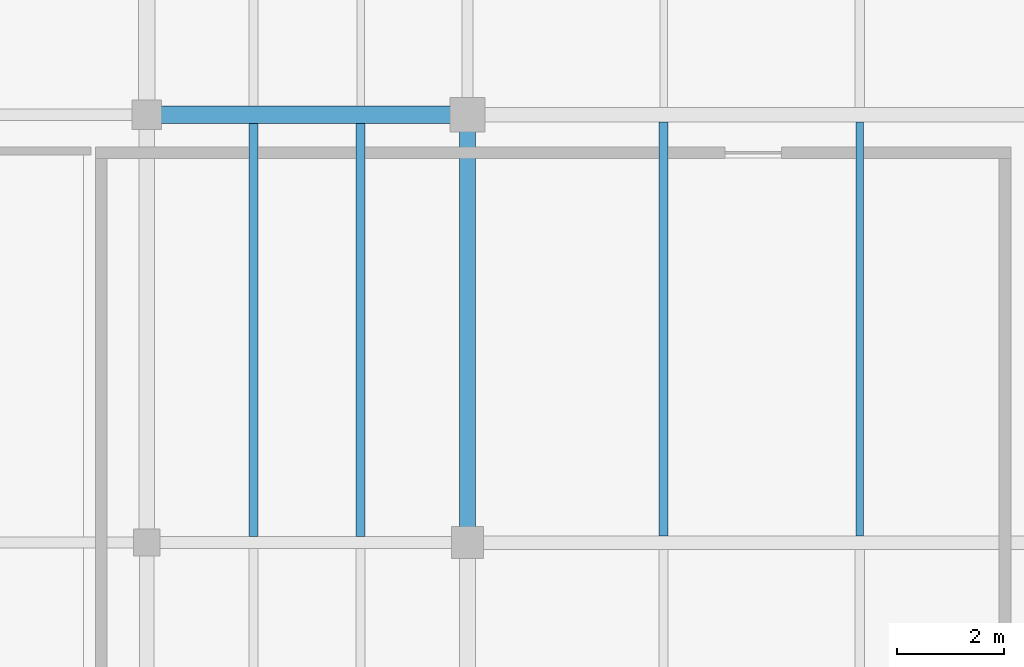
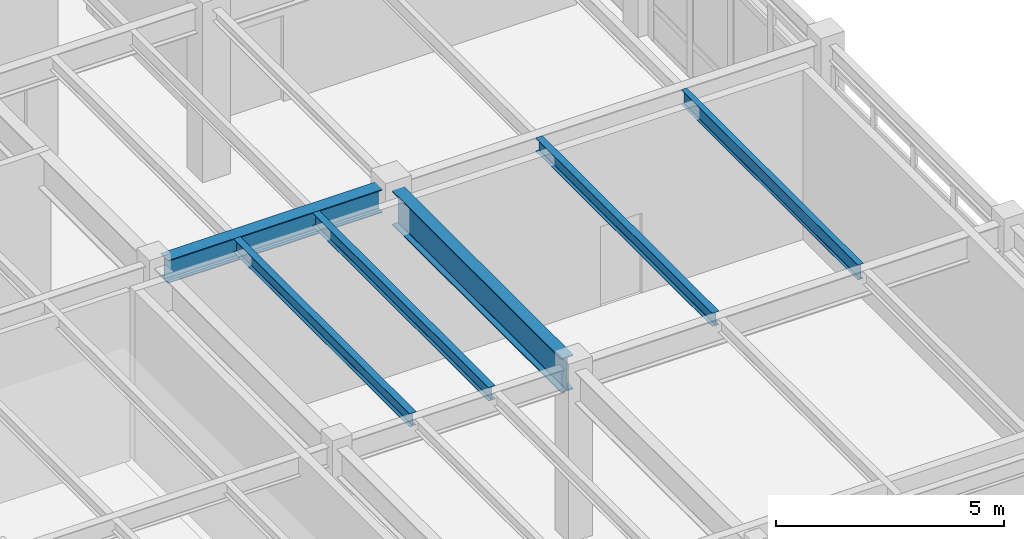
# One storey, part 147 of 200: 6 beams.
"""IFC4 building model written with IfcOpenShell, lengths in metres."""

from ifc_helpers import new_model, si_unit, direction, frame, origin, origin_2d, place, context, subcontext, project, spatial, i_section, extrude, material, material_profile, profile_set, type_object, element, save


model = new_model("IFC4")

# Units and contexts
model_context = context("Model", 3, precision=1e-05, world=origin(), true_north=direction((0.0, 1.0)))
body_context = subcontext(model_context, "Body", "Model", "MODEL_VIEW")
ifc_project = project(units=[si_unit("LENGTHUNIT", "METRE"), si_unit("AREAUNIT", "SQUARE_METRE"), si_unit("VOLUMEUNIT", "CUBIC_METRE"), si_unit("PLANEANGLEUNIT", "RADIAN"), si_unit("MASSUNIT", "GRAM", prefix="KILO"), si_unit("THERMODYNAMICTEMPERATUREUNIT", "KELVIN"), si_unit("POWERUNIT", "WATT")], contexts=[model_context])

# Site, building, storey
site_placement = place(None, origin())
site = spatial("IfcSite", under=ifc_project, at=site_placement, CompositionType="ELEMENT")
building_placement = place(site_placement, origin())
building = spatial("IfcBuilding", under=site, at=building_placement, Name="Tepalcoro Natatorium and Aquatics Centre", CompositionType="ELEMENT")
storey_placement = place(building_placement, frame((0.0, 0.0, 5.39990234375)))
storey = spatial("IfcBuildingStorey", under=building, at=storey_placement, Name="L01", CompositionType="ELEMENT", Elevation=5.39990234375)

# Beams
ifc_material = material(Name="Steel ASTM A992 Grade 50 (Fy 345 MPa)", Category="steel")
ifc_material_profile_1 = material_profile(ifc_material, i_section(OverallWidth=0.324951171875, OverallDepth=0.616943359375, WebThickness=0.013916015625, FlangeThickness=0.02197265625, FilletRadius=0.013916015625, at=origin_2d()), Name="W24X117")
ifc_profile_set_1 = profile_set([ifc_material_profile_1], Name="Steel ASTM A992 Grade 50 (Fy 345 MPa)")
beam_type_1 = type_object("IfcBeamType", Name="BM_W24x117", PredefinedType="BEAM", material=ifc_profile_set_1)
beam_1_placement = place(storey_placement, frame((159.260009765625, 102.0, 4.236572265625), z_axis=(1.0, 0.0, 0.0), x_axis=(0.0, 1.0, 0.0)))
element("IfcBeam", 1, at=beam_1_placement, inside=storey, type_object=beam_type_1, Name="V5 L01 Grid Girder X", PredefinedType="BEAM", context=body_context, shape_type="SweptSolid", body=[
    extrude(i_section(OverallWidth=0.324951171875, OverallDepth=0.616943359375, WebThickness=0.013916015625, FlangeThickness=0.02197265625, FilletRadius=0.013916015625, at=origin_2d()), origin(), (0.0, 0.0, 1.0), 5.429931640625),
])
ifc_material_profile_2 = material_profile(ifc_material, i_section(OverallWidth=0.304931640625, OverallDepth=0.9189453125, WebThickness=0.01708984375, FlangeThickness=0.028076171875, FilletRadius=0.013916015625, at=origin_2d()), Name="W36X170")
ifc_profile_set_2 = profile_set([ifc_material_profile_2], Name="Steel ASTM A992 Grade 50 (Fy 345 MPa)")
beam_type_2 = type_object("IfcBeamType", Name="BM_W36x170", PredefinedType="BEAM", material=ifc_profile_set_2)
beam_2_placement = place(storey_placement, frame((165.0, 94.284912109375, 4.085693359375), z_axis=(0.0, 1.0, 0.0), x_axis=(-1.0, 0.0, 0.0)))
element("IfcBeam", 2, at=beam_2_placement, inside=storey, type_object=beam_type_2, Name="V5 L01 Grid Girder Y", PredefinedType="BEAM", context=body_context, shape_type="SweptSolid", body=[
    extrude(i_section(OverallWidth=0.304931640625, OverallDepth=0.9189453125, WebThickness=0.01708984375, FlangeThickness=0.028076171875, FilletRadius=0.013916015625, at=origin_2d()), origin(), (0.0, 0.0, 1.0), 7.405029296875),
])
ifc_material_profile_3 = material_profile(ifc_material, i_section(OverallWidth=0.1708984375, OverallDepth=0.35107421875, WebThickness=0.007080078125, FlangeThickness=0.010009765625, FilletRadius=0.013916015625, at=origin_2d()), Name="W14X30")
ifc_profile_set_3 = profile_set([ifc_material_profile_3], Name="Steel ASTM A992 Grade 50 (Fy 345 MPa)")
beam_type_3 = type_object("IfcBeamType", Name="JS_W14x30", PredefinedType="JOIST", material=ifc_profile_set_3)
beam_3_placement = place(storey_placement, frame((161.0, 94.114990234375, 4.36962890625), z_axis=(0.0, 1.0, 0.0), x_axis=(-1.0, 0.0, 0.0)))
element("IfcBeam", 3, at=beam_3_placement, inside=storey, type_object=beam_type_3, Name="V5 L01 Floor Joist", PredefinedType="JOIST", context=body_context, shape_type="SweptSolid", body=[
    extrude(i_section(OverallWidth=0.1708984375, OverallDepth=0.35107421875, WebThickness=0.007080078125, FlangeThickness=0.010009765625, FilletRadius=0.013916015625, at=origin_2d()), origin(), (0.0, 0.0, 1.0), 7.722412109375),
])
ifc_material_profile_4 = material_profile(ifc_material, i_section(OverallWidth=0.172119140625, OverallDepth=0.35791015625, WebThickness=0.008056640625, FlangeThickness=0.012939453125, FilletRadius=0.013916015625, at=origin_2d()), Name="W14X38")
ifc_profile_set_4 = profile_set([ifc_material_profile_4], Name="Steel ASTM A992 Grade 50 (Fy 345 MPa)")
beam_type_4 = type_object("IfcBeamType", Name="JS_W14x38", PredefinedType="JOIST", material=ifc_profile_set_4)
beam_4_placement = place(storey_placement, frame((163.0, 94.114990234375, 4.3662109375), z_axis=(0.0, 1.0, 0.0), x_axis=(-1.0, 0.0, 0.0)))
element("IfcBeam", 4, at=beam_4_placement, inside=storey, type_object=beam_type_4, Name="V5 L01 Floor Joist", PredefinedType="JOIST", context=body_context, shape_type="SweptSolid", body=[
    extrude(i_section(OverallWidth=0.172119140625, OverallDepth=0.35791015625, WebThickness=0.008056640625, FlangeThickness=0.012939453125, FilletRadius=0.013916015625, at=origin_2d()), origin(), (0.0, 0.0, 1.0), 7.722412109375),
])
beam_5_placement = place(storey_placement, frame((168.666748046875, 94.126953125, 4.3662109375), z_axis=(0.0, 1.0, 0.0), x_axis=(-1.0, 0.0, 0.0)))
element("IfcBeam", 5, at=beam_5_placement, inside=storey, type_object=beam_type_4, Name="V5 L01 Floor Joist", PredefinedType="JOIST", context=body_context, shape_type="SweptSolid", body=[
    extrude(i_section(OverallWidth=0.172119140625, OverallDepth=0.35791015625, WebThickness=0.008056640625, FlangeThickness=0.012939453125, FilletRadius=0.013916015625, at=origin_2d()), origin(), (0.0, 0.0, 1.0), 7.739501953125),
])
ifc_material_profile_5 = material_profile(ifc_material, i_section(OverallWidth=0.139892578125, OverallDepth=0.404052734375, WebThickness=0.007080078125, FlangeThickness=0.010986328125, FilletRadius=0.013916015625, at=origin_2d()), Name="W16X31")
ifc_profile_set_5 = profile_set([ifc_material_profile_5], Name="Steel ASTM A992 Grade 50 (Fy 345 MPa)")
beam_type_5 = type_object("IfcBeamType", Name="JS_W16x31", PredefinedType="JOIST", material=ifc_profile_set_5)
beam_6_placement = place(storey_placement, frame((172.333251953125, 94.126953125, 4.343017578125), z_axis=(0.0, 1.0, 0.0), x_axis=(-1.0, 0.0, 0.0)))
element("IfcBeam", 6, at=beam_6_placement, inside=storey, type_object=beam_type_5, Name="V5 L01 Floor Joist", PredefinedType="JOIST", context=body_context, shape_type="SweptSolid", body=[
    extrude(i_section(OverallWidth=0.139892578125, OverallDepth=0.404052734375, WebThickness=0.007080078125, FlangeThickness=0.010986328125, FilletRadius=0.013916015625, at=origin_2d()), origin(), (0.0, 0.0, 1.0), 7.739501953125),
])

save(model, "model.ifc")
